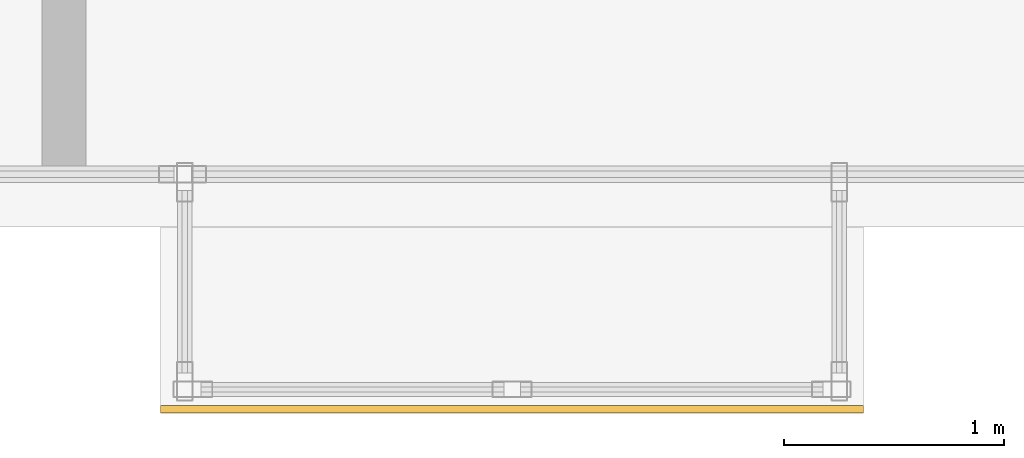
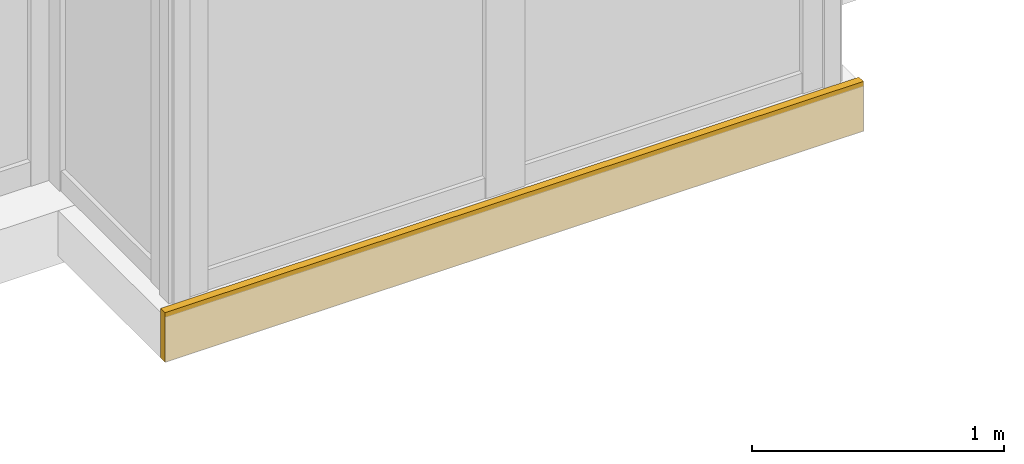
# One storey, part 30 of 31: 1 covering.
"""IFC4 building model written with IfcOpenShell, lengths in metres."""

from ifc_helpers import new_model, si_unit, direction, frame, origin, origin_2d, place, context, subcontext, project, spatial, rectangle, extrude, material, layer, layer_set, type_object, element, save


model = new_model("IFC4")

# Units and contexts
model_context = context("Model", 3, precision=1e-05, world=origin(), true_north=direction((0.0, 1.0)))
body_context = subcontext(model_context, "Body", "Model", "MODEL_VIEW")
ifc_project = project(units=[si_unit("LENGTHUNIT", "METRE"), si_unit("AREAUNIT", "SQUARE_METRE"), si_unit("VOLUMEUNIT", "CUBIC_METRE"), si_unit("PLANEANGLEUNIT", "RADIAN"), si_unit("MASSUNIT", "GRAM", prefix="KILO")], contexts=[model_context])

# Site, building, storey
site_placement = place(None, origin())
site = spatial("IfcSite", under=ifc_project, at=site_placement, CompositionType="ELEMENT")
building_placement = place(site_placement, origin())
building = spatial("IfcBuilding", under=site, at=building_placement, Name="Kolvaren Waterfront Exchange", CompositionType="ELEMENT")
storey_placement = place(building_placement, frame((0.0, 0.0, 67.60009765625)))
storey = spatial("IfcBuildingStorey", under=building, at=storey_placement, Name="L17", CompositionType="ELEMENT", Elevation=67.60009765625)

# Covering
ifc_material = material(Name="Anodised bronze fascia aluminium", Category="aluminium")
ifc_layer = layer(ifc_material, 0.034912109375, Name="Anodised bronze fascia aluminium")
ifc_layer_set = layer_set([ifc_layer], Name="Anodised bronze fascia aluminium")
covering_type = type_object("IfcCoveringType", Name="ARC-CLAD-BRONZE-35", PredefinedType="CLADDING", material=ifc_layer_set)
covering_placement = place(storey_placement, frame((33.89990234375, 0.3701171875, -0.22021484375), z_axis=(0.0, 0.0, 1.0), x_axis=(1.0, 0.0, 0.0)))
element("IfcCovering", 1, at=covering_placement, inside=storey, type_object=covering_type, Name="L17 ribbed anodised bronze bay-box fascia", PredefinedType="CLADDING", context=body_context, shape_type="SweptSolid", body=[
    extrude(rectangle(XDim=3.199951171875, YDim=0.034912109375, at=origin_2d()), origin(), (0.0, 0.0, 1.0), 0.239990234375),
])

save(model, "model.ifc")
